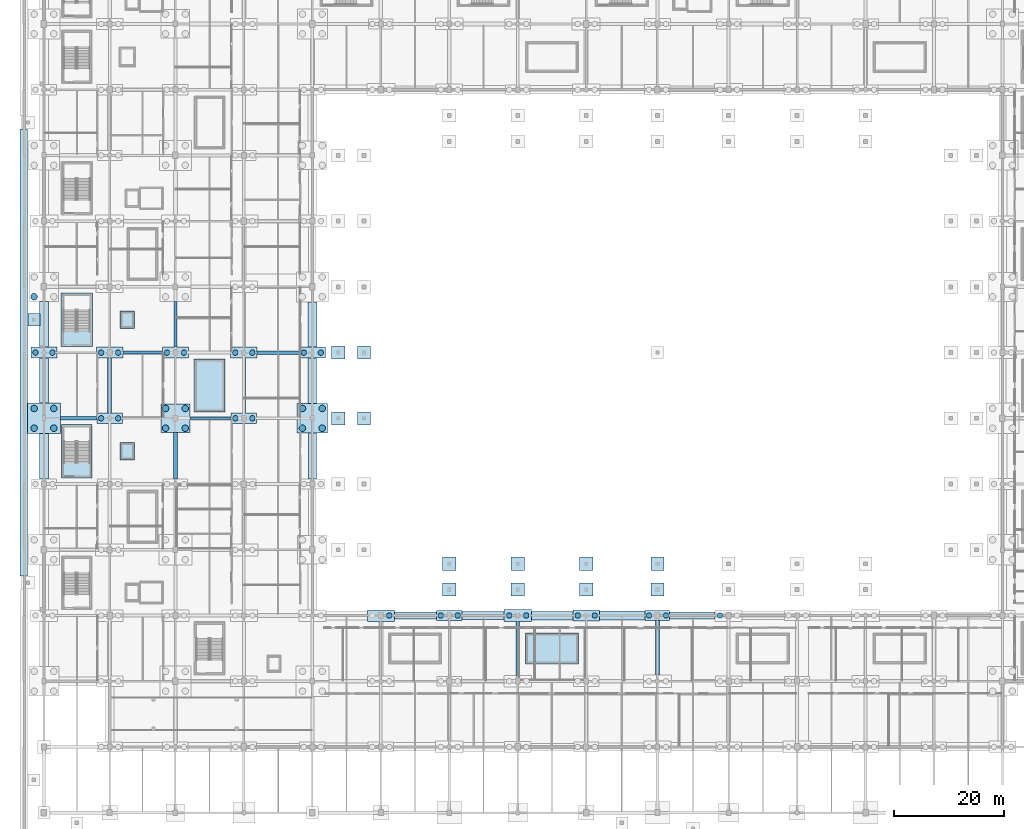
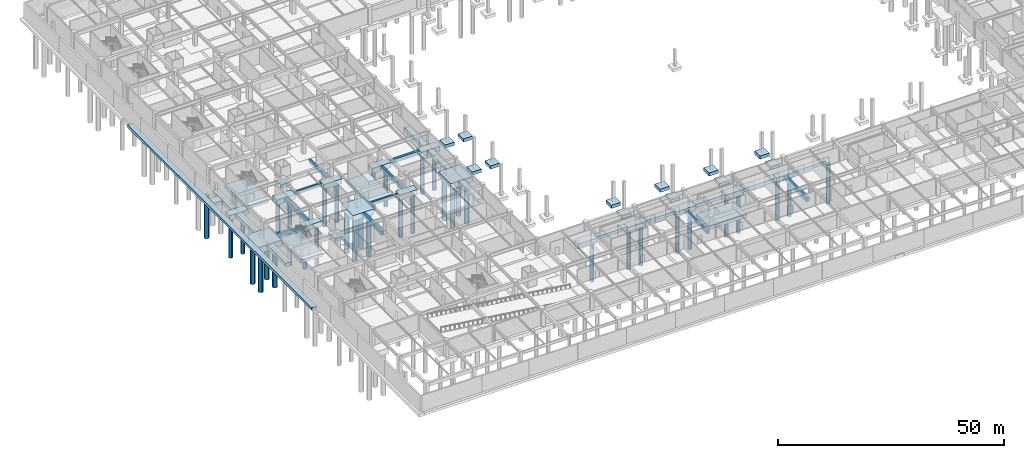
# One storey, part 3 of 56: 56 footings, 37 piles.
"""IFC4 building model written with IfcOpenShell, lengths in metres."""

import ifcopenshell
import ifcopenshell.guid

model = None  # the IFC model being written
_history = None  # IfcOwnerHistory: only IFC2X3 demands one
_inside = {}  # id of a spatial element -> (the spatial element, [elements in it])
_under = {}  # id of a project, library or spatial element -> (it, [spatial elements below it])
_declared = {}  # id of a project -> (the project, [libraries it declares])
_typed = {}  # id of a type object -> (the type object, [elements of that type])
_made_of = {}  # id of a material, layer set ... -> (it, [elements and type objects made of it])


def new_model(schema):
    """Start an empty IFC model of exactly this schema.

    Asked for "IFC4X3", IfcOpenShell would pick the latest addendum, in which some entities
    have other attributes; the version numbers below select the first issue.
    IFC2X3 requires an IfcOwnerHistory on every rooted entity: one is made here for all.
    """
    global model, _history
    if schema == "IFC4X3":
        model = ifcopenshell.file(schema_version=(4, 3, 0, 0))
    else:
        model = ifcopenshell.file(schema=schema)
    _inside.clear()
    _under.clear()
    _declared.clear()
    _typed.clear()
    _made_of.clear()
    _history = None
    if model.schema == "IFC2X3":
        org = make("IfcOrganization", Name="unknown")
        user = make(
            "IfcPersonAndOrganization",
            ThePerson=make("IfcPerson", FamilyName="unknown"),
            TheOrganization=org,
        )
        app = make(
            "IfcApplication",
            ApplicationDeveloper=org,
            Version="unknown",
            ApplicationFullName="unknown",
            ApplicationIdentifier="unknown",
        )
        _history = make(
            "IfcOwnerHistory",
            OwningUser=user,
            OwningApplication=app,
            ChangeAction="ADDED",
            CreationDate=0,
        )
    return model


def make(cls, **values):
    """One entity of the class cls with the attributes given. An attribute that is None is left unset."""
    return model.create_entity(
        cls, **{name: value for name, value in values.items() if value is not None}
    )


def rooted(cls, **values):
    """An entity with a GlobalId (a new one), such as an element, a storey or a relation."""
    return make(cls, GlobalId=ifcopenshell.guid.new(), OwnerHistory=_history, **values)


def si_unit(unit_type, name, prefix=None):
    """IfcSIUnit, for example si_unit("LENGTHUNIT", "METRE", prefix="MILLI")."""
    return make("IfcSIUnit", UnitType=unit_type, Prefix=prefix, Name=name)


def assignment(units):
    """IfcUnitAssignment: the units of a project."""
    return None if units is None else make("IfcUnitAssignment", Units=units)


def point(xyz):
    """IfcCartesianPoint."""
    return None if xyz is None else make("IfcCartesianPoint", Coordinates=xyz)


def direction(xyz):
    """IfcDirection."""
    return None if xyz is None else make("IfcDirection", DirectionRatios=xyz)


def frame(location, z_axis=None, x_axis=None):
    """IfcAxis2Placement3D, a coordinate frame: its origin and axes. An axis left out is left unset."""
    return make(
        "IfcAxis2Placement3D",
        Location=point(location),
        Axis=direction(z_axis),
        RefDirection=direction(x_axis),
    )


def frame_2d(location, x_axis=None):
    """IfcAxis2Placement2D, a coordinate frame in the plane: its origin and x axis."""
    return make(
        "IfcAxis2Placement2D", Location=point(location), RefDirection=direction(x_axis)
    )


def origin():
    """The frame at (0, 0, 0) with its axes left unset."""
    return frame((0.0, 0.0, 0.0))


def origin_2d():
    """The frame at (0, 0) in the plane with its x axis left unset."""
    return frame_2d((0.0, 0.0))


def place(relative_to, where):
    """IfcLocalPlacement: puts the frame where relative to a parent placement (None: the world)."""
    return make(
        "IfcLocalPlacement", PlacementRelTo=relative_to, RelativePlacement=where
    )


def context(
    kind, dimensions, precision=None, world=None, true_north=None, identifier=None
):
    """IfcGeometricRepresentationContext, for example the 3D "Model" context."""
    return make(
        "IfcGeometricRepresentationContext",
        ContextIdentifier=identifier,
        ContextType=kind,
        CoordinateSpaceDimension=dimensions,
        Precision=precision,
        WorldCoordinateSystem=world,
        TrueNorth=true_north,
    )


def subcontext(parent, identifier, kind, view, scale=None):
    """IfcGeometricRepresentationSubContext, for example "Body" below "Model"."""
    return make(
        "IfcGeometricRepresentationSubContext",
        ContextIdentifier=identifier,
        ContextType=kind,
        ParentContext=parent,
        TargetScale=scale,
        TargetView=view,
    )


def project(units=None, contexts=None):
    """IfcProject with its units and contexts."""
    return rooted(
        "IfcProject",
        Name="project",
        RepresentationContexts=contexts,
        UnitsInContext=assignment(units),
    )


def spatial(cls, under=None, at=None, **own):
    """A site, building, storey or space (cls), placed at a placement, below another one or the project."""
    s = rooted(cls, ObjectPlacement=at, **own)
    if under is not None:
        _under.setdefault(under.id(), (under, []))[1].append(s)
    return s


def polyline(points):
    """IfcPolyline through the points."""
    return make("IfcPolyline", Points=[point(p) for p in points])


def profile(cls, at=None, kind="AREA", **sizes):
    """A parametric profile (cls). Its sizes go by their IFC names, for example OverallWidth=200.0."""
    return make(cls, ProfileType=kind, Position=at, **sizes)


def rectangle(**sizes):
    """IfcRectangleProfileDef."""
    return profile("IfcRectangleProfileDef", **sizes)


def circle(**sizes):
    """IfcCircleProfileDef."""
    return profile("IfcCircleProfileDef", **sizes)


def outline(outer, holes=None, kind="AREA"):
    """IfcArbitraryClosedProfileDef: a profile drawn as a closed curve; with holes, ...WithVoids."""
    if holes is None:
        return make("IfcArbitraryClosedProfileDef", ProfileType=kind, OuterCurve=outer)
    return make(
        "IfcArbitraryProfileDefWithVoids",
        ProfileType=kind,
        OuterCurve=outer,
        InnerCurves=holes,
    )


def extrude(swept, where, along, depth):
    """IfcExtrudedAreaSolid: the profile swept, set in the frame where, extruded along a direction by depth."""
    return make(
        "IfcExtrudedAreaSolid",
        SweptArea=swept,
        Position=where,
        ExtrudedDirection=direction(along),
        Depth=depth,
    )


def shape(context_of_items, identifier, shape_type, items):
    """IfcShapeRepresentation: the items that make up one representation, for example the "Body"."""
    return make(
        "IfcShapeRepresentation",
        ContextOfItems=context_of_items,
        RepresentationIdentifier=identifier,
        RepresentationType=shape_type,
        Items=items,
    )


def material(Name=None, Category=None):
    """IfcMaterial."""
    return make("IfcMaterial", Name=Name, Category=Category)


def material_profile(
    of_material, cross_section, Name=None, Category=None, Priority=None
):
    """IfcMaterialProfile: a cross section and its material."""
    return make(
        "IfcMaterialProfile",
        Name=Name,
        Material=of_material,
        Profile=cross_section,
        Priority=Priority,
        Category=Category,
    )


def profile_set(profiles, Name=None, composite=None):
    """IfcMaterialProfileSet."""
    return make(
        "IfcMaterialProfileSet",
        Name=Name,
        MaterialProfiles=profiles,
        CompositeProfile=composite,
    )


def made_of(thing, what):
    """Note that an element or type object is made of a material, layer set ...; save() writes the relation."""
    if what is not None:
        _made_of.setdefault(what.id(), (what, []))[1].append(thing)
    return thing


def type_object(cls, material=None, **own):
    """A type object (cls), such as IfcWallType, which elements share."""
    return made_of(rooted(cls, **own), material)


def element(
    cls,
    number,
    at=None,
    inside=None,
    cuts=None,
    type_object=None,
    material=None,
    context=None,
    identifier="Body",
    shape_type=None,
    held_by="IfcProductDefinitionShape",
    body=None,
    shapes=None,
    **own,
):
    """One element of the class cls, such as IfcWall. Its Tag is "e" and its number.

    at: its placement. inside: the storey or other place that contains it. cuts: it is an
    opening in that element (IfcRelVoidsElement). A single representation is given by context,
    identifier, shape_type and body (its items); several are given by shapes. held_by: the class
    of the entity that holds the representations. save() writes the other relations.
    """
    e = rooted(cls, Tag="e%d" % number, ObjectPlacement=at, **own)
    if body is not None:
        shapes = [shape(context, identifier, shape_type, body)]
    if shapes is not None:
        e.Representation = make(held_by, Representations=shapes)
    if inside is not None:
        _inside.setdefault(inside.id(), (inside, []))[1].append(e)
    if cuts is not None:
        rooted(
            "IfcRelVoidsElement", RelatingBuildingElement=cuts, RelatedOpeningElement=e
        )
    if type_object is not None:
        _typed.setdefault(type_object.id(), (type_object, []))[1].append(e)
    return made_of(e, material)


def aggregate(whole, parts):
    """IfcRelAggregates: a whole, such as a stair, and the parts it consists of."""
    return rooted("IfcRelAggregates", RelatingObject=whole, RelatedObjects=parts)


def save(model, path):
    """Write the relations noted so far, then the file.

    IfcRelAggregates (storeys below a building ...), IfcRelContainedInSpatialStructure (elements
    in a storey), IfcRelDefinesByType, IfcRelAssociatesMaterial and IfcRelDeclares: one each for
    every whole, place, type object, material and project.
    """
    for whole, parts in _under.values():
        aggregate(whole, parts)
    for where, things in _inside.values():
        rooted(
            "IfcRelContainedInSpatialStructure",
            RelatedElements=things,
            RelatingStructure=where,
        )
    for kind, things in _typed.values():
        rooted("IfcRelDefinesByType", RelatedObjects=things, RelatingType=kind)
    for what, things in _made_of.values():
        rooted("IfcRelAssociatesMaterial", RelatedObjects=things, RelatingMaterial=what)
    for by, libraries in _declared.values():
        rooted("IfcRelDeclares", RelatingContext=by, RelatedDefinitions=libraries)
    model.write(path)


model = new_model("IFC4")

# Units and contexts
model_context = context("Model", 3, precision=1e-05, world=origin(), true_north=direction((0.0, 1.0)))
body_context = subcontext(model_context, "Body", "Model", "MODEL_VIEW")
ifc_project = project(units=[si_unit("LENGTHUNIT", "METRE"), si_unit("AREAUNIT", "SQUARE_METRE"), si_unit("VOLUMEUNIT", "CUBIC_METRE"), si_unit("PLANEANGLEUNIT", "RADIAN"), si_unit("MASSUNIT", "GRAM", prefix="KILO")], contexts=[model_context])

# Site, building, storey
site_placement = place(None, origin())
site = spatial("IfcSite", under=ifc_project, at=site_placement, CompositionType="ELEMENT")
building_placement = place(site_placement, origin())
building = spatial("IfcBuilding", under=site, at=building_placement, Name="Kazenohara Klinker Stadium", CompositionType="ELEMENT")
storey_placement = place(building_placement, frame((0.0, 0.0, -4.800048828125)))
storey = spatial("IfcBuildingStorey", under=building, at=storey_placement, Name="B01", CompositionType="ELEMENT", Elevation=-4.800048828125)

# Footings
ifc_material = material(Name="Concrete C35/45", Category="concrete")
footing_type_1 = type_object("IfcFootingType", Name="CAP-PC01", PredefinedType="PILE_CAP", material=ifc_material)
footing_1_placement = place(storey_placement, frame((112.0, 36.0, -1.25), z_axis=(0.0, 0.0, 1.0), x_axis=(1.0, 0.0, 0.0)))
element("IfcFooting", 1, at=footing_1_placement, inside=storey, type_object=footing_type_1, Name="Pile cap PC01 at 10/D", PredefinedType="PILE_CAP", context=body_context, shape_type="SweptSolid", body=[
    extrude(rectangle(XDim=4.5, YDim=1.800048828125, at=origin_2d()), origin(), (0.0, 0.0, 1.0), 1.25),
])
footing_type_2 = type_object("IfcFootingType", Name="CAP-PC02", PredefinedType="PILE_CAP", material=ifc_material)
for number, where, z_axis, x_axis, name in (
    (2, (12.0, 72.0, -1.2998046875), (0.0, 0.0, 1.0), (1.0, 0.0, 0.0), "Pile cap PC02 at 2/G"),
    (3, (36.5, 72.0, -1.2998046875), (0.0, 0.0, 1.0), (1.0, 0.0, 0.0), "Pile cap PC02 at 4/G"),
    (4, (74.0, 36.0, -1.2998046875), (0.0, 0.0, 1.0), (1.0, 0.0, 0.0), "Pile cap PC02 at 7/D"),
):
    element("IfcFooting", number, at=place(storey_placement, frame(where, z_axis=z_axis, x_axis=x_axis)), inside=storey, type_object=footing_type_2, Name=name, PredefinedType="PILE_CAP", context=body_context, shape_type="SweptSolid", body=[
        extrude(rectangle(XDim=4.64990234375, YDim=1.89990234375, at=origin_2d()), origin(), (0.0, 0.0, 1.0), 1.300048828125),
    ])
footing_type_3 = type_object("IfcFootingType", Name="CAP-PC03", PredefinedType="PILE_CAP", material=ifc_material)
for number, where, z_axis, x_axis, name in (
    (5, (0.0, 84.0, -1.35009765625), (0.0, 0.0, 1.0), (1.0, 0.0, 0.0), "Pile cap PC03 at 1/H"),
    (6, (12.0, 84.0, -1.35009765625), (0.0, 0.0, 1.0), (1.0, 0.0, 0.0), "Pile cap PC03 at 2/H"),
    (7, (24.0, 84.0, -1.35009765625), (0.0, 0.0, 1.0), (1.0, 0.0, 0.0), "Pile cap PC03 at 3/H"),
    (8, (36.5, 84.0, -1.35009765625), (0.0, 0.0, 1.0), (1.0, 0.0, 0.0), "Pile cap PC03 at 4/H"),
    (9, (49.0, 84.0, -1.35009765625), (0.0, 0.0, 1.0), (1.0, 0.0, 0.0), "Pile cap PC03 at 5/H"),
    (10, (99.0, 36.0, -1.35009765625), (0.0, 0.0, 1.0), (1.0, 0.0, 0.0), "Pile cap PC03 at 9/D"),
):
    element("IfcFooting", number, at=place(storey_placement, frame(where, z_axis=z_axis, x_axis=x_axis)), inside=storey, type_object=footing_type_3, Name=name, PredefinedType="PILE_CAP", context=body_context, shape_type="SweptSolid", body=[
        extrude(rectangle(XDim=4.800048828125, YDim=2.0, at=origin_2d()), origin(), (0.0, 0.0, 1.0), 1.35009765625),
    ])
footing_type_4 = type_object("IfcFootingType", Name="CAP-PC04", PredefinedType="PILE_CAP", material=ifc_material)
footing_2_placement = place(storey_placement, frame((61.5, 36.0, -1.39990234375), z_axis=(0.0, 0.0, 1.0), x_axis=(1.0, 0.0, 0.0)))
element("IfcFooting", 11, at=footing_2_placement, inside=storey, type_object=footing_type_4, Name="Pile cap PC04 at 6/D", PredefinedType="PILE_CAP", context=body_context, shape_type="SweptSolid", body=[
    extrude(rectangle(XDim=4.949951171875, YDim=2.10009765625, at=origin_2d()), origin(), (0.0, 0.0, 1.0), 1.39990234375),
])
footing_type_5 = type_object("IfcFootingType", Name="CAP-PC05", PredefinedType="PILE_CAP", material=ifc_material)
footing_3_placement = place(storey_placement, frame((86.5, 36.0, -1.44970703125), z_axis=(0.0, 0.0, 1.0), x_axis=(1.0, 0.0, 0.0)))
element("IfcFooting", 12, at=footing_3_placement, inside=storey, type_object=footing_type_5, Name="Pile cap PC05 at 8/D", PredefinedType="PILE_CAP", context=body_context, shape_type="SweptSolid", body=[
    extrude(rectangle(XDim=5.10009765625, YDim=2.199951171875, at=origin_2d()), origin(), (0.0, 0.0, 1.0), 1.449951171875),
])
footing_type_6 = type_object("IfcFootingType", Name="CAP-PC07", PredefinedType="PILE_CAP", material=ifc_material)
footing_4_placement = place(storey_placement, frame((24.0, 72.0, -1.44970703125), z_axis=(0.0, 0.0, 1.0), x_axis=(1.0, 0.0, 0.0)))
element("IfcFooting", 13, at=footing_4_placement, inside=storey, type_object=footing_type_6, Name="Pile cap PC07 at 3/G", PredefinedType="PILE_CAP", context=body_context, shape_type="SweptSolid", body=[
    extrude(rectangle(XDim=5.35009765625, YDim=5.25, at=origin_2d()), origin(), (0.0, 0.0, 1.0), 1.449951171875),
])
footing_type_7 = type_object("IfcFootingType", Name="CAP-PC09", PredefinedType="PILE_CAP", material=ifc_material)
footing_5_placement = place(storey_placement, frame((49.0, 72.0, -1.5498046875), z_axis=(0.0, 0.0, 1.0), x_axis=(1.0, 0.0, 0.0)))
element("IfcFooting", 14, at=footing_5_placement, inside=storey, type_object=footing_type_7, Name="Pile cap PC09 at 5/G", PredefinedType="PILE_CAP", context=body_context, shape_type="SweptSolid", body=[
    extrude(rectangle(XDim=5.60009765625, YDim=5.39990234375, at=origin_2d()), origin(), (0.0, 0.0, 1.0), 1.550048828125),
])
footing_type_8 = type_object("IfcFootingType", Name="CAP-PC12", PredefinedType="PILE_CAP", material=ifc_material)
footing_6_placement = place(storey_placement, frame((0.0, 72.0, -1.69970703125), z_axis=(0.0, 0.0, 1.0), x_axis=(1.0, 0.0, 0.0)))
element("IfcFooting", 15, at=footing_6_placement, inside=storey, type_object=footing_type_8, Name="Pile cap PC12 at 1/G", PredefinedType="PILE_CAP", context=body_context, shape_type="SweptSolid", body=[
    extrude(rectangle(XDim=6.0, YDim=5.60009765625, at=origin_2d()), origin(), (0.0, 0.0, 1.0), 1.699951171875),
])
footing_type_9 = type_object("IfcFootingType", Name="GBEAM-GB01", PredefinedType="FOOTING_BEAM", material=ifc_material)
footing_7_placement = place(storey_placement, frame((0.0, 0.0, -0.800048828125)))
element("IfcFooting", 16, at=footing_7_placement, inside=storey, type_object=footing_type_9, Name="Foundation tie beam GB01 2-3/H", PredefinedType="FOOTING_BEAM", context=body_context, shape_type="SweptSolid", body=[
    extrude(outline(polyline([(14.39990234375, 83.75), (21.60009765625, 83.75), (21.60009765625, 84.25), (14.39990234375, 84.25), (14.39990234375, 83.75)])), origin(), (0.0, 0.0, 1.0), 0.800048828125),
])
footing_8_placement = place(storey_placement, frame((0.0, 0.0, -0.800048828125)))
element("IfcFooting", 17, at=footing_8_placement, inside=storey, type_object=footing_type_9, Name="Foundation tie beam GB01 3-4/G", PredefinedType="FOOTING_BEAM", context=body_context, shape_type="SweptSolid", body=[
    extrude(outline(polyline([(26.675048828125, 71.75), (34.175048828125, 71.75), (34.175048828125, 72.25), (26.675048828125, 72.25), (26.675048828125, 71.75)])), origin(), (0.0, 0.0, 1.0), 0.800048828125),
])
footing_type_10 = type_object("IfcFootingType", Name="GBEAM-GB02", PredefinedType="FOOTING_BEAM", material=ifc_material)
footing_9_placement = place(storey_placement, frame((0.0, 0.0, -0.8798828125)))
element("IfcFooting", 18, at=footing_9_placement, inside=storey, type_object=footing_type_10, Name="Foundation tie beam GB02 3/H-J", PredefinedType="FOOTING_BEAM", context=body_context, shape_type="SweptSolid", body=[
    extrude(outline(polyline([(23.7099609375, 85.0), (24.2900390625, 85.0), (24.2900390625, 93.300048828125), (23.7099609375, 93.300048828125), (23.7099609375, 85.0)])), origin(), (0.0, 0.0, 1.0), 0.8798828125),
])
footing_10_placement = place(storey_placement, frame((0.0, 0.0, -0.8798828125)))
element("IfcFooting", 19, at=footing_10_placement, inside=storey, type_object=footing_type_10, Name="Foundation tie beam GB02 4/G-H", PredefinedType="FOOTING_BEAM", context=body_context, shape_type="SweptSolid", body=[
    extrude(outline(polyline([(36.2099609375, 72.949951171875), (36.7900390625, 72.949951171875), (36.7900390625, 83.0), (36.2099609375, 83.0), (36.2099609375, 72.949951171875)])), origin(), (0.0, 0.0, 1.0), 0.8798828125),
])
footing_11_placement = place(storey_placement, frame((0.0, 0.0, -0.8798828125)))
element("IfcFooting", 20, at=footing_11_placement, inside=storey, type_object=footing_type_10, Name="Foundation tie beam GB02 8/C-D", PredefinedType="FOOTING_BEAM", context=body_context, shape_type="SweptSolid", body=[
    extrude(outline(polyline([(86.2099609375, 25.050048828125), (86.7900390625, 25.050048828125), (86.7900390625, 34.89990234375), (86.2099609375, 34.89990234375), (86.2099609375, 25.050048828125)])), origin(), (0.0, 0.0, 1.0), 0.8798828125),
])
footing_type_11 = type_object("IfcFootingType", Name="GBEAM-GB03", PredefinedType="FOOTING_BEAM", material=ifc_material)
footing_12_placement = place(storey_placement, frame((0.0, 0.0, -0.9599609375)))
element("IfcFooting", 21, at=footing_12_placement, inside=storey, type_object=footing_type_11, Name="Foundation tie beam GB03 1-2/G", PredefinedType="FOOTING_BEAM", context=body_context, shape_type="SweptSolid", body=[
    extrude(outline(polyline([(3.0, 71.675048828125), (9.675048828125, 71.675048828125), (9.675048828125, 72.324951171875), (3.0, 72.324951171875), (3.0, 71.675048828125)])), origin(), (0.0, 0.0, 1.0), 0.9599609375),
])
footing_13_placement = place(storey_placement, frame((0.0, 0.0, -0.9599609375)))
element("IfcFooting", 22, at=footing_13_placement, inside=storey, type_object=footing_type_11, Name="Foundation tie beam GB03 4-5/H", PredefinedType="FOOTING_BEAM", context=body_context, shape_type="SweptSolid", body=[
    extrude(outline(polyline([(38.89990234375, 83.675048828125), (46.60009765625, 83.675048828125), (46.60009765625, 84.324951171875), (38.89990234375, 84.324951171875), (38.89990234375, 83.675048828125)])), origin(), (0.0, 0.0, 1.0), 0.9599609375),
])
footing_type_12 = type_object("IfcFootingType", Name="GBEAM-GB04", PredefinedType="FOOTING_BEAM", material=ifc_material)
footing_14_placement = place(storey_placement, frame((0.0, 0.0, -1.050048828125)))
element("IfcFooting", 23, at=footing_14_placement, inside=storey, type_object=footing_type_12, Name="Foundation tie beam GB04 2/G-H", PredefinedType="FOOTING_BEAM", context=body_context, shape_type="SweptSolid", body=[
    extrude(outline(polyline([(11.639892578125, 72.949951171875), (12.360107421875, 72.949951171875), (12.360107421875, 83.0), (11.639892578125, 83.0), (11.639892578125, 72.949951171875)])), origin(), (0.0, 0.0, 1.0), 1.050048828125),
])
footing_15_placement = place(storey_placement, frame((0.0, 0.0, -1.050048828125)))
element("IfcFooting", 24, at=footing_15_placement, inside=storey, type_object=footing_type_12, Name="Foundation tie beam GB04 3/F-G", PredefinedType="FOOTING_BEAM", context=body_context, shape_type="SweptSolid", body=[
    extrude(outline(polyline([(23.639892578125, 60.89990234375), (24.360107421875, 60.89990234375), (24.360107421875, 69.375), (23.639892578125, 69.375), (23.639892578125, 60.89990234375)])), origin(), (0.0, 0.0, 1.0), 1.050048828125),
])
footing_16_placement = place(storey_placement, frame((0.0, 0.0, -1.050048828125)))
element("IfcFooting", 25, at=footing_16_placement, inside=storey, type_object=footing_type_12, Name="Foundation tie beam GB04 10/C-D", PredefinedType="FOOTING_BEAM", context=body_context, shape_type="SweptSolid", body=[
    extrude(outline(polyline([(111.639892578125, 25.10009765625), (112.360107421875, 25.10009765625), (112.360107421875, 35.10009765625), (111.639892578125, 35.10009765625), (111.639892578125, 25.10009765625)])), origin(), (0.0, 0.0, 1.0), 1.050048828125),
])
footing_type_13 = type_object("IfcFootingType", Name="PAD-PF01", PredefinedType="PAD_FOOTING", material=ifc_material)
footing_17_placement = place(storey_placement, frame((-1.85009765625, 90.0, -0.7998046875), z_axis=(0.0, 0.0, 1.0), x_axis=(1.0, 0.0, 0.0)))
element("IfcFooting", 26, at=footing_17_placement, inside=storey, type_object=footing_type_13, Name="Exterior plinth support pad PF01 PLAZA-WEST-2", PredefinedType="PAD_FOOTING", context=body_context, shape_type="SweptSolid", body=[
    extrude(rectangle(XDim=2.199951171875, YDim=2.199951171875, at=origin_2d()), origin(), (0.0, 0.0, 1.0), 0.800048828125),
])
footing_type_14 = type_object("IfcFootingType", Name="PAD-PF02", PredefinedType="PAD_FOOTING", material=ifc_material)
for number, where, z_axis, x_axis, name in (
    (27, (58.449951171875, 72.0, -0.85009765625), (0.0, 0.0, 1.0), (1.0, 0.0, 0.0), "Bowl moat raker pad PF02 W-G"),
    (28, (53.72509765625, 72.0, -0.85009765625), (0.0, 0.0, 1.0), (1.0, 0.0, 0.0), "Bowl mid-raker pad PF02 W-G"),
    (29, (58.449951171875, 84.0, -0.85009765625), (0.0, 0.0, 1.0), (1.0, 0.0, 0.0), "Bowl moat raker pad PF02 W-H"),
    (30, (53.72509765625, 84.0, -0.85009765625), (0.0, 0.0, 1.0), (1.0, 0.0, 0.0), "Bowl mid-raker pad PF02 W-H"),
    (31, (74.0, 45.449951171875, -0.85009765625), (0.0, 0.0, 1.0), (1.0, 0.0, 0.0), "Bowl moat raker pad PF02 S-7"),
    (32, (74.0, 40.72509765625, -0.85009765625), (0.0, 0.0, 1.0), (1.0, 0.0, 0.0), "Bowl mid-raker pad PF02 S-7"),
    (33, (86.5, 45.449951171875, -0.85009765625), (0.0, 0.0, 1.0), (1.0, 0.0, 0.0), "Bowl moat raker pad PF02 S-8"),
    (34, (86.5, 40.72509765625, -0.85009765625), (0.0, 0.0, 1.0), (1.0, 0.0, 0.0), "Bowl mid-raker pad PF02 S-8"),
    (35, (99.0, 45.449951171875, -0.85009765625), (0.0, 0.0, 1.0), (1.0, 0.0, 0.0), "Bowl moat raker pad PF02 S-9"),
    (36, (99.0, 40.72509765625, -0.85009765625), (0.0, 0.0, 1.0), (1.0, 0.0, 0.0), "Bowl mid-raker pad PF02 S-9"),
    (37, (112.0, 45.449951171875, -0.85009765625), (0.0, 0.0, 1.0), (1.0, 0.0, 0.0), "Bowl moat raker pad PF02 S-10"),
    (38, (112.0, 40.72509765625, -0.85009765625), (0.0, 0.0, 1.0), (1.0, 0.0, 0.0), "Bowl mid-raker pad PF02 S-10"),
):
    element("IfcFooting", number, at=place(storey_placement, frame(where, z_axis=z_axis, x_axis=x_axis)), inside=storey, type_object=footing_type_14, Name=name, PredefinedType="PAD_FOOTING", context=body_context, shape_type="SweptSolid", body=[
        extrude(rectangle(XDim=2.39990234375, YDim=2.39990234375, at=origin_2d()), origin(), (0.0, 0.0, 1.0), 0.85009765625),
    ])
footing_type_15 = type_object("IfcFootingType", Name="PAD-PF03", PredefinedType="PAD_FOOTING", material=ifc_material)
footing_18_placement = place(storey_placement, frame((0.0, 0.0, -1.5)))
element("IfcFooting", 39, at=footing_18_placement, inside=storey, type_object=footing_type_15, Name="Elevator pit foundation pad LP01", PredefinedType="PAD_FOOTING", context=body_context, shape_type="SweptSolid", body=[
    extrude(outline(polyline([(13.885009765625, 64.43505859375), (16.514892578125, 64.43505859375), (16.514892578125, 67.56494140625), (13.885009765625, 67.56494140625), (13.885009765625, 64.43505859375)])), origin(), (0.0, 0.0, 1.0), 0.85009765625),
])
footing_19_placement = place(storey_placement, frame((0.0, 0.0, -1.5)))
element("IfcFooting", 40, at=footing_19_placement, inside=storey, type_object=footing_type_15, Name="Elevator pit foundation pad LP02", PredefinedType="PAD_FOOTING", context=body_context, shape_type="SweptSolid", body=[
    extrude(outline(polyline([(13.885009765625, 88.43505859375), (16.514892578125, 88.43505859375), (16.514892578125, 91.56494140625), (13.885009765625, 91.56494140625), (13.885009765625, 88.43505859375)])), origin(), (0.0, 0.0, 1.0), 0.85009765625),
])
footing_type_16 = type_object("IfcFootingType", Name="PAD-PF04", PredefinedType="PAD_FOOTING", material=ifc_material)
footing_20_placement = place(storey_placement, frame((0.0, 0.0, -1.550048828125)))
element("IfcFooting", 41, at=footing_20_placement, inside=storey, type_object=footing_type_16, Name="Stairwell core foundation raft ST02", PredefinedType="PAD_FOOTING", context=body_context, shape_type="SweptSolid", body=[
    extrude(outline(polyline([(3.18505859375, 61.135009765625), (8.81494140625, 61.135009765625), (8.81494140625, 70.864990234375), (3.18505859375, 70.864990234375), (3.18505859375, 61.135009765625)])), origin(), (0.0, 0.0, 1.0), 0.900146484375),
])
footing_21_placement = place(storey_placement, frame((0.0, 0.0, -1.550048828125)))
element("IfcFooting", 42, at=footing_21_placement, inside=storey, type_object=footing_type_16, Name="Stairwell core foundation raft ST03", PredefinedType="PAD_FOOTING", context=body_context, shape_type="SweptSolid", body=[
    extrude(outline(polyline([(3.155029296875, 85.125), (8.844970703125, 85.125), (8.844970703125, 94.875), (3.155029296875, 94.875), (3.155029296875, 85.125)])), origin(), (0.0, 0.0, 1.0), 0.900146484375),
])
footing_22_placement = place(storey_placement, frame((0.0, 0.0, -1.550048828125)))
element("IfcFooting", 43, at=footing_22_placement, inside=storey, type_object=footing_type_16, Name="Stairwell core foundation raft ST17", PredefinedType="PAD_FOOTING", context=body_context, shape_type="SweptSolid", body=[
    extrude(outline(polyline([(27.43505859375, 73.125), (33.06494140625, 73.125), (33.06494140625, 82.875), (27.43505859375, 82.875), (27.43505859375, 73.125)])), origin(), (0.0, 0.0, 1.0), 0.900146484375),
])
footing_23_placement = place(storey_placement, frame((0.0, 0.0, -1.550048828125)))
element("IfcFooting", 44, at=footing_23_placement, inside=storey, type_object=footing_type_16, Name="Stairwell core foundation raft ST26", PredefinedType="PAD_FOOTING", context=body_context, shape_type="SweptSolid", body=[
    extrude(outline(polyline([(87.885009765625, 27.18505859375), (97.614990234375, 27.18505859375), (97.614990234375, 32.81494140625), (87.885009765625, 32.81494140625), (87.885009765625, 27.18505859375)])), origin(), (0.0, 0.0, 1.0), 0.900146484375),
])

# Piles
ifc_material_profile_1 = material_profile(ifc_material, circle(Radius=0.5, at=origin_2d()), Name="BORED-PILE-1000")
ifc_profile_set_1 = profile_set([ifc_material_profile_1], Name="Concrete C35/45")
pile_type_1 = type_object("IfcPileType", Name="PILE-P01-1000", PredefinedType="BORED", material=ifc_profile_set_1)
for number, where, z_axis, x_axis, name in (
    (45, (-1.550048828125, 84.0, -1.25), (0.0, 0.0, -1.0), (1.0, 0.0, 0.0), "Bored pile P01-0007-1"),
    (46, (1.550048828125, 84.0, -1.25), (0.0, 0.0, -1.0), (1.0, 0.0, 0.0), "Bored pile P01-0007-2"),
):
    element("IfcPile", number, at=place(storey_placement, frame(where, z_axis=z_axis, x_axis=x_axis)), inside=storey, type_object=pile_type_1, Name=name, PredefinedType="BORED", context=body_context, shape_type="SweptSolid", body=[
        extrude(circle(Radius=0.5, at=origin_2d()), origin(), (0.0, 0.0, 1.0), 10.75),
    ])
for number, where, z_axis, x_axis, name in (
    (47, (10.449951171875, 72.0, -1.199951171875), (0.0, 0.0, -1.0), (1.0, 0.0, 0.0), "Bored pile P01-0106-1"),
    (48, (13.550048828125, 72.0, -1.199951171875), (0.0, 0.0, -1.0), (1.0, 0.0, 0.0), "Bored pile P01-0106-2"),
):
    element("IfcPile", number, at=place(storey_placement, frame(where, z_axis=z_axis, x_axis=x_axis)), inside=storey, type_object=pile_type_1, Name=name, PredefinedType="BORED", context=body_context, shape_type="SweptSolid", body=[
        extrude(circle(Radius=0.5, at=origin_2d()), origin(), (0.0, 0.0, 1.0), 10.800048828125),
    ])
for number, where, z_axis, x_axis, name in (
    (49, (10.449951171875, 84.0, -1.25), (0.0, 0.0, -1.0), (1.0, 0.0, 0.0), "Bored pile P01-0107-1"),
    (50, (13.550048828125, 84.0, -1.25), (0.0, 0.0, -1.0), (1.0, 0.0, 0.0), "Bored pile P01-0107-2"),
    (51, (22.449951171875, 84.0, -1.25), (0.0, 0.0, -1.0), (1.0, 0.0, 0.0), "Bored pile P01-0207-1"),
    (52, (25.550048828125, 84.0, -1.25), (0.0, 0.0, -1.0), (1.0, 0.0, 0.0), "Bored pile P01-0207-2"),
):
    element("IfcPile", number, at=place(storey_placement, frame(where, z_axis=z_axis, x_axis=x_axis)), inside=storey, type_object=pile_type_1, Name=name, PredefinedType="BORED", context=body_context, shape_type="SweptSolid", body=[
        extrude(circle(Radius=0.5, at=origin_2d()), origin(), (0.0, 0.0, 1.0), 10.75),
    ])
for number, where, z_axis, x_axis, name in (
    (53, (34.949951171875, 72.0, -1.199951171875), (0.0, 0.0, -1.0), (1.0, 0.0, 0.0), "Bored pile P01-0306-1"),
    (54, (38.050048828125, 72.0, -1.199951171875), (0.0, 0.0, -1.0), (1.0, 0.0, 0.0), "Bored pile P01-0306-2"),
):
    element("IfcPile", number, at=place(storey_placement, frame(where, z_axis=z_axis, x_axis=x_axis)), inside=storey, type_object=pile_type_1, Name=name, PredefinedType="BORED", context=body_context, shape_type="SweptSolid", body=[
        extrude(circle(Radius=0.5, at=origin_2d()), origin(), (0.0, 0.0, 1.0), 10.800048828125),
    ])
for number, where, z_axis, x_axis, name in (
    (55, (34.949951171875, 84.0, -1.25), (0.0, 0.0, -1.0), (1.0, 0.0, 0.0), "Bored pile P01-0307-1"),
    (56, (38.050048828125, 84.0, -1.25), (0.0, 0.0, -1.0), (1.0, 0.0, 0.0), "Bored pile P01-0307-2"),
    (57, (47.449951171875, 84.0, -1.25), (0.0, 0.0, -1.0), (1.0, 0.0, 0.0), "Bored pile P01-0407-1"),
    (58, (50.550048828125, 84.0, -1.25), (0.0, 0.0, -1.0), (1.0, 0.0, 0.0), "Bored pile P01-0407-2"),
):
    element("IfcPile", number, at=place(storey_placement, frame(where, z_axis=z_axis, x_axis=x_axis)), inside=storey, type_object=pile_type_1, Name=name, PredefinedType="BORED", context=body_context, shape_type="SweptSolid", body=[
        extrude(circle(Radius=0.5, at=origin_2d()), origin(), (0.0, 0.0, 1.0), 10.75),
    ])
pile_1_placement = place(storey_placement, frame((63.050048828125, 36.0, -1.300048828125), z_axis=(0.0, 0.0, -1.0), x_axis=(1.0, 0.0, 0.0)))
element("IfcPile", 59, at=pile_1_placement, inside=storey, type_object=pile_type_1, Name="Bored pile P01-0503-2", PredefinedType="BORED", context=body_context, shape_type="SweptSolid", body=[
    extrude(circle(Radius=0.5, at=origin_2d()), origin(), (0.0, 0.0, 1.0), 10.699951171875),
])
for number, where, z_axis, x_axis, name in (
    (60, (72.449951171875, 36.0, -1.199951171875), (0.0, 0.0, -1.0), (1.0, 0.0, 0.0), "Bored pile P01-0603-1"),
    (61, (75.550048828125, 36.0, -1.199951171875), (0.0, 0.0, -1.0), (1.0, 0.0, 0.0), "Bored pile P01-0603-2"),
):
    element("IfcPile", number, at=place(storey_placement, frame(where, z_axis=z_axis, x_axis=x_axis)), inside=storey, type_object=pile_type_1, Name=name, PredefinedType="BORED", context=body_context, shape_type="SweptSolid", body=[
        extrude(circle(Radius=0.5, at=origin_2d()), origin(), (0.0, 0.0, 1.0), 10.800048828125),
    ])
for number, where, z_axis, x_axis, name in (
    (62, (84.949951171875, 36.0, -1.349853515625), (0.0, 0.0, -1.0), (1.0, 0.0, 0.0), "Bored pile P01-0703-1"),
    (63, (88.050048828125, 36.0, -1.349853515625), (0.0, 0.0, -1.0), (1.0, 0.0, 0.0), "Bored pile P01-0703-2"),
):
    element("IfcPile", number, at=place(storey_placement, frame(where, z_axis=z_axis, x_axis=x_axis)), inside=storey, type_object=pile_type_1, Name=name, PredefinedType="BORED", context=body_context, shape_type="SweptSolid", body=[
        extrude(circle(Radius=0.5, at=origin_2d()), origin(), (0.0, 0.0, 1.0), 10.64990234375),
    ])
for number, where, z_axis, x_axis, name in (
    (64, (97.449951171875, 36.0, -1.25), (0.0, 0.0, -1.0), (1.0, 0.0, 0.0), "Bored pile P01-0803-1"),
    (65, (100.550048828125, 36.0, -1.25), (0.0, 0.0, -1.0), (1.0, 0.0, 0.0), "Bored pile P01-0803-2"),
):
    element("IfcPile", number, at=place(storey_placement, frame(where, z_axis=z_axis, x_axis=x_axis)), inside=storey, type_object=pile_type_1, Name=name, PredefinedType="BORED", context=body_context, shape_type="SweptSolid", body=[
        extrude(circle(Radius=0.5, at=origin_2d()), origin(), (0.0, 0.0, 1.0), 10.75),
    ])
for number, where, z_axis, x_axis, name in (
    (66, (110.449951171875, 36.0, -1.14990234375), (0.0, 0.0, -1.0), (1.0, 0.0, 0.0), "Bored pile P01-0903-1"),
    (67, (113.550048828125, 36.0, -1.14990234375), (0.0, 0.0, -1.0), (1.0, 0.0, 0.0), "Bored pile P01-0903-2"),
):
    element("IfcPile", number, at=place(storey_placement, frame(where, z_axis=z_axis, x_axis=x_axis)), inside=storey, type_object=pile_type_1, Name=name, PredefinedType="BORED", context=body_context, shape_type="SweptSolid", body=[
        extrude(circle(Radius=0.5, at=origin_2d()), origin(), (0.0, 0.0, 1.0), 10.85009765625),
    ])
pile_2_placement = place(storey_placement, frame((123.449951171875, 36.0, -1.300048828125), z_axis=(0.0, 0.0, -1.0), x_axis=(1.0, 0.0, 0.0)))
element("IfcPile", 68, at=pile_2_placement, inside=storey, type_object=pile_type_1, Name="Bored pile P01-1003-1", PredefinedType="BORED", context=body_context, shape_type="SweptSolid", body=[
    extrude(circle(Radius=0.5, at=origin_2d()), origin(), (0.0, 0.0, 1.0), 10.699951171875),
])
ifc_material_profile_2 = material_profile(ifc_material, circle(Radius=0.60009765625, at=origin_2d()), Name="BORED-PILE-1200")
ifc_profile_set_2 = profile_set([ifc_material_profile_2], Name="Concrete C35/45")
pile_type_2 = type_object("IfcPileType", Name="PILE-P02-1200", PredefinedType="BORED", material=ifc_profile_set_2)
for number, where, z_axis, x_axis, name in (
    (69, (-1.800048828125, 70.199951171875, -1.599853515625), (0.0, 0.0, -1.0), (1.0, 0.0, 0.0), "Bored pile P02-0006-1"),
    (70, (1.800048828125, 70.199951171875, -1.599853515625), (0.0, 0.0, -1.0), (1.0, 0.0, 0.0), "Bored pile P02-0006-2"),
    (71, (-1.800048828125, 73.800048828125, -1.599853515625), (0.0, 0.0, -1.0), (1.0, 0.0, 0.0), "Bored pile P02-0006-3"),
    (72, (1.800048828125, 73.800048828125, -1.599853515625), (0.0, 0.0, -1.0), (1.0, 0.0, 0.0), "Bored pile P02-0006-4"),
):
    element("IfcPile", number, at=place(storey_placement, frame(where, z_axis=z_axis, x_axis=x_axis)), inside=storey, type_object=pile_type_2, Name=name, PredefinedType="BORED", context=body_context, shape_type="SweptSolid", body=[
        extrude(circle(Radius=0.60009765625, at=origin_2d()), origin(), (0.0, 0.0, 1.0), 11.199951171875),
    ])
for number, where, z_axis, x_axis, name in (
    (73, (-1.800048828125, 94.199951171875, -1.349853515625), (0.0, 0.0, -1.0), (1.0, 0.0, 0.0), "Bored pile P02-0008-1"),
    (74, (22.199951171875, 70.199951171875, -1.349853515625), (0.0, 0.0, -1.0), (1.0, 0.0, 0.0), "Bored pile P02-0206-1"),
    (75, (25.800048828125, 70.199951171875, -1.349853515625), (0.0, 0.0, -1.0), (1.0, 0.0, 0.0), "Bored pile P02-0206-2"),
    (76, (22.199951171875, 73.800048828125, -1.349853515625), (0.0, 0.0, -1.0), (1.0, 0.0, 0.0), "Bored pile P02-0206-3"),
    (77, (25.800048828125, 73.800048828125, -1.349853515625), (0.0, 0.0, -1.0), (1.0, 0.0, 0.0), "Bored pile P02-0206-4"),
):
    element("IfcPile", number, at=place(storey_placement, frame(where, z_axis=z_axis, x_axis=x_axis)), inside=storey, type_object=pile_type_2, Name=name, PredefinedType="BORED", context=body_context, shape_type="SweptSolid", body=[
        extrude(circle(Radius=0.60009765625, at=origin_2d()), origin(), (0.0, 0.0, 1.0), 11.449951171875),
    ])
for number, where, z_axis, x_axis, name in (
    (78, (47.199951171875, 70.199951171875, -1.449951171875), (0.0, 0.0, -1.0), (1.0, 0.0, 0.0), "Bored pile P02-0406-1"),
    (79, (50.800048828125, 70.199951171875, -1.449951171875), (0.0, 0.0, -1.0), (1.0, 0.0, 0.0), "Bored pile P02-0406-2"),
    (80, (47.199951171875, 73.800048828125, -1.449951171875), (0.0, 0.0, -1.0), (1.0, 0.0, 0.0), "Bored pile P02-0406-3"),
    (81, (50.800048828125, 73.800048828125, -1.449951171875), (0.0, 0.0, -1.0), (1.0, 0.0, 0.0), "Bored pile P02-0406-4"),
):
    element("IfcPile", number, at=place(storey_placement, frame(where, z_axis=z_axis, x_axis=x_axis)), inside=storey, type_object=pile_type_2, Name=name, PredefinedType="BORED", context=body_context, shape_type="SweptSolid", body=[
        extrude(circle(Radius=0.60009765625, at=origin_2d()), origin(), (0.0, 0.0, 1.0), 11.35009765625),
    ])

# Footings
footing_type_17 = type_object("IfcFootingType", Name="STRIP-SF01", PredefinedType="STRIP_FOOTING", material=ifc_material)
footing_24_placement = place(storey_placement, frame((0.0, 0.0, -0.75)))
element("IfcFooting", 82, at=footing_24_placement, inside=storey, type_object=footing_type_17, Name="Perimeter strip footing SF01 6-7/D", PredefinedType="STRIP_FOOTING", context=body_context, shape_type="SweptSolid", body=[
    extrude(outline(polyline([(63.97509765625, 35.324951171875), (71.675048828125, 35.324951171875), (71.675048828125, 36.675048828125), (63.97509765625, 36.675048828125), (63.97509765625, 35.324951171875)])), origin(), (0.0, 0.0, 1.0), 0.75),
])
footing_25_placement = place(storey_placement, frame((0.0, 0.0, -0.75)))
element("IfcFooting", 83, at=footing_25_placement, inside=storey, type_object=footing_type_17, Name="Perimeter strip footing SF01 10-11/D", PredefinedType="STRIP_FOOTING", context=body_context, shape_type="SweptSolid", body=[
    extrude(outline(polyline([(114.25, 35.324951171875), (122.52490234375, 35.324951171875), (122.52490234375, 36.675048828125), (114.25, 36.675048828125), (114.25, 35.324951171875)])), origin(), (0.0, 0.0, 1.0), 0.75),
])
footing_26_placement = place(storey_placement, frame((0.0, 0.0, -0.75)))
element("IfcFooting", 84, at=footing_26_placement, inside=storey, type_object=footing_type_17, Name="Street plinth strip footing SF01 West-02", PredefinedType="STRIP_FOOTING", context=body_context, shape_type="SweptSolid", body=[
    extrude(outline(polyline([(-4.375, 43.219970703125), (-3.02490234375, 43.219970703125), (-3.02490234375, 124.780029296875), (-4.375, 124.780029296875), (-4.375, 43.219970703125)])), origin(), (0.0, 0.0, 1.0), 0.75),
])
footing_type_18 = type_object("IfcFootingType", Name="STRIP-SF02", PredefinedType="STRIP_FOOTING", material=ifc_material)
footing_27_placement = place(storey_placement, frame((0.0, 0.0, -0.800048828125)))
element("IfcFooting", 85, at=footing_27_placement, inside=storey, type_object=footing_type_18, Name="Perimeter strip footing SF02 7-8/D", PredefinedType="STRIP_FOOTING", context=body_context, shape_type="SweptSolid", body=[
    extrude(outline(polyline([(76.324951171875, 35.27490234375), (83.949951171875, 35.27490234375), (83.949951171875, 36.72509765625), (76.324951171875, 36.72509765625), (76.324951171875, 35.27490234375)])), origin(), (0.0, 0.0, 1.0), 0.800048828125),
])
footing_28_placement = place(storey_placement, frame((0.0, 0.0, -0.800048828125)))
element("IfcFooting", 86, at=footing_28_placement, inside=storey, type_object=footing_type_18, Name="Perimeter strip footing SF02 5/F-G", PredefinedType="STRIP_FOOTING", context=body_context, shape_type="SweptSolid", body=[
    extrude(outline(polyline([(48.27490234375, 60.89990234375), (49.72509765625, 60.89990234375), (49.72509765625, 69.300048828125), (48.27490234375, 69.300048828125), (48.27490234375, 60.89990234375)])), origin(), (0.0, 0.0, 1.0), 0.800048828125),
])
footing_type_19 = type_object("IfcFootingType", Name="STRIP-SF03", PredefinedType="STRIP_FOOTING", material=ifc_material)
footing_29_placement = place(storey_placement, frame((0.0, 0.0, -0.8798828125)))
element("IfcFooting", 87, at=footing_29_placement, inside=storey, type_object=footing_type_19, Name="Perimeter strip footing SF03 8-9/D", PredefinedType="STRIP_FOOTING", context=body_context, shape_type="SweptSolid", body=[
    extrude(outline(polyline([(89.050048828125, 35.22509765625), (96.60009765625, 35.22509765625), (96.60009765625, 36.77490234375), (89.050048828125, 36.77490234375), (89.050048828125, 35.22509765625)])), origin(), (0.0, 0.0, 1.0), 0.8798828125),
])
footing_30_placement = place(storey_placement, frame((0.0, 0.0, -0.8798828125)))
element("IfcFooting", 88, at=footing_30_placement, inside=storey, type_object=footing_type_19, Name="Perimeter strip footing SF03 5/G-H", PredefinedType="STRIP_FOOTING", context=body_context, shape_type="SweptSolid", body=[
    extrude(outline(polyline([(48.22509765625, 74.699951171875), (49.77490234375, 74.699951171875), (49.77490234375, 83.0), (48.22509765625, 83.0), (48.22509765625, 74.699951171875)])), origin(), (0.0, 0.0, 1.0), 0.8798828125),
])
footing_type_20 = type_object("IfcFootingType", Name="STRIP-SF04", PredefinedType="STRIP_FOOTING", material=ifc_material)
footing_31_placement = place(storey_placement, frame((0.0, 0.0, -0.949951171875)))
element("IfcFooting", 89, at=footing_31_placement, inside=storey, type_object=footing_type_20, Name="Perimeter strip footing SF04 9-10/D", PredefinedType="STRIP_FOOTING", context=body_context, shape_type="SweptSolid", body=[
    extrude(outline(polyline([(101.39990234375, 35.175048828125), (109.75, 35.175048828125), (109.75, 36.824951171875), (101.39990234375, 36.824951171875), (101.39990234375, 35.175048828125)])), origin(), (0.0, 0.0, 1.0), 0.949951171875),
])
footing_32_placement = place(storey_placement, frame((0.0, 0.0, -0.949951171875)))
element("IfcFooting", 90, at=footing_32_placement, inside=storey, type_object=footing_type_20, Name="Perimeter strip footing SF04 1/F-G", PredefinedType="STRIP_FOOTING", context=body_context, shape_type="SweptSolid", body=[
    extrude(outline(polyline([(-0.824951171875, 60.89990234375), (0.824951171875, 60.89990234375), (0.824951171875, 69.199951171875), (-0.824951171875, 69.199951171875), (-0.824951171875, 60.89990234375)])), origin(), (0.0, 0.0, 1.0), 0.949951171875),
])
footing_33_placement = place(storey_placement, frame((0.0, 0.0, -0.949951171875)))
element("IfcFooting", 91, at=footing_33_placement, inside=storey, type_object=footing_type_20, Name="Perimeter strip footing SF04 1/G-H", PredefinedType="STRIP_FOOTING", context=body_context, shape_type="SweptSolid", body=[
    extrude(outline(polyline([(-0.824951171875, 74.800048828125), (0.824951171875, 74.800048828125), (0.824951171875, 83.0), (-0.824951171875, 83.0), (-0.824951171875, 74.800048828125)])), origin(), (0.0, 0.0, 1.0), 0.949951171875),
])
footing_34_placement = place(storey_placement, frame((0.0, 0.0, -0.949951171875)))
element("IfcFooting", 92, at=footing_34_placement, inside=storey, type_object=footing_type_20, Name="Perimeter strip footing SF04 1/H-J", PredefinedType="STRIP_FOOTING", context=body_context, shape_type="SweptSolid", body=[
    extrude(outline(polyline([(-0.824951171875, 85.0), (0.824951171875, 85.0), (0.824951171875, 93.375), (-0.824951171875, 93.375), (-0.824951171875, 85.0)])), origin(), (0.0, 0.0, 1.0), 0.949951171875),
])
footing_35_placement = place(storey_placement, frame((0.0, 0.0, -0.949951171875)))
element("IfcFooting", 93, at=footing_35_placement, inside=storey, type_object=footing_type_20, Name="Perimeter strip footing SF04 5/H-J", PredefinedType="STRIP_FOOTING", context=body_context, shape_type="SweptSolid", body=[
    extrude(outline(polyline([(48.175048828125, 85.0), (49.824951171875, 85.0), (49.824951171875, 93.25), (48.175048828125, 93.25), (48.175048828125, 85.0)])), origin(), (0.0, 0.0, 1.0), 0.949951171875),
])

save(model, "model.ifc")
